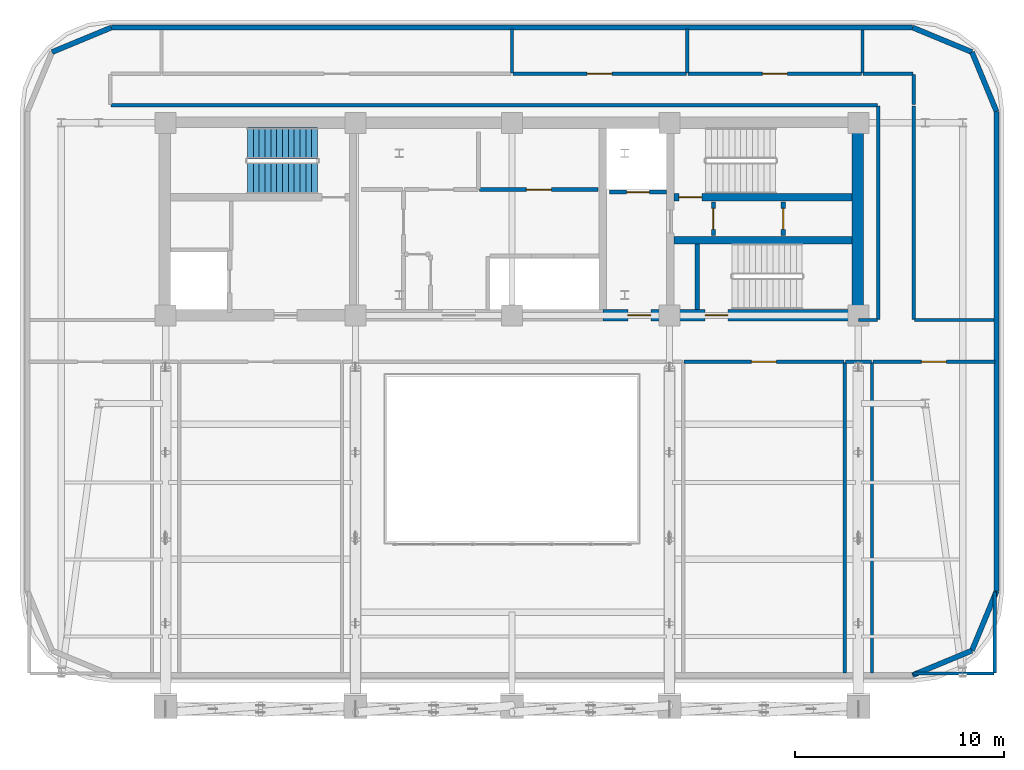
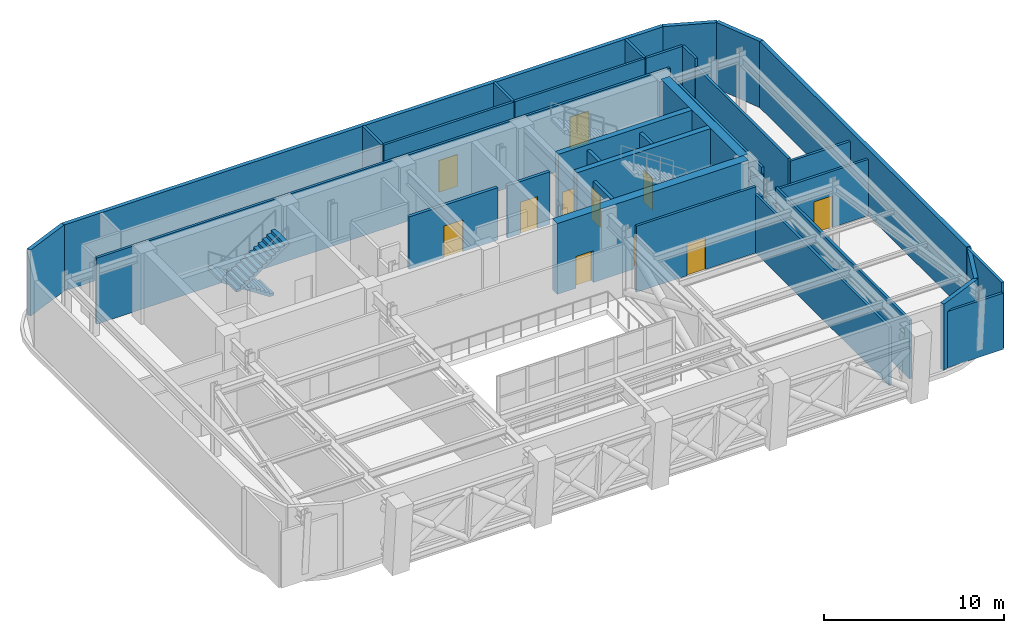
# One storey, part 8 of 12: 35 walls, 11 doors, 2 stair flights, 11 openings, 1 element without a shape of its own.
"""IFC4 building model written with IfcOpenShell, lengths in metres."""

from ifc_helpers import new_model, si_unit, direction, frame, frame_2d, origin, place, context, subcontext, project, spatial, polyline, rectangle, outline, extrude, material, layer, layer_set, type_object, element, fill, aggregate, save


model = new_model("IFC4")

# Units and contexts
model_context = context("Model", 3, precision=1e-05, world=origin(), true_north=direction((0.0, 1.0)))
body_context = subcontext(model_context, "Body", "Model", "MODEL_VIEW")
ifc_project = project(units=[si_unit("LENGTHUNIT", "METRE"), si_unit("AREAUNIT", "SQUARE_METRE"), si_unit("VOLUMEUNIT", "CUBIC_METRE"), si_unit("PLANEANGLEUNIT", "RADIAN"), si_unit("MASSUNIT", "GRAM", prefix="KILO")], contexts=[model_context])

# Site, building, storey
site_placement = place(None, origin())
site = spatial("IfcSite", under=ifc_project, at=site_placement, CompositionType="ELEMENT")
building_placement = place(site_placement, origin())
building = spatial("IfcBuilding", under=site, at=building_placement, Name="Zarnavel Station Tower", CompositionType="ELEMENT")
storey_placement = place(building_placement, frame((0.0, 0.0, 188.39990234375)))
storey = spatial("IfcBuildingStorey", under=building, at=storey_placement, Name="L51", CompositionType="ELEMENT", Elevation=188.39990234375)

# Wall, opening, door
ifc_material_1 = material(Name="Concrete C50/60", Category="concrete")
ifc_layer_1 = layer(ifc_material_1, 0.35009765625)
ifc_layer_set_1 = layer_set([ifc_layer_1], Name="CW_350")
wall_type_1 = type_object("IfcWallType", Name="CW_350", PredefinedType="SHEAR", material=ifc_layer_set_1)
wall_1_placement = place(storey_placement, frame((45.10498046875, 33.47998046875, 0.0), z_axis=(0.0, 0.0, 1.0), x_axis=(-1.0, 0.0, 0.0)))
wall_1 = element("IfcWall", 1, at=wall_1_placement, inside=storey, type_object=wall_type_1, Name="L51 Rear Core Shear Wall DIV-H2", PredefinedType="SHEAR", context=body_context, shape_type="SweptSolid", body=[
    extrude(rectangle(XDim=8.550048828125, YDim=0.35009765625, at=frame_2d((4.27490234375, 0.0))), origin(), (0.0, 0.0, 1.0), 4.800048828125),
])
opening_1_placement = place(wall_1_placement, frame((7.205078125, 0.0, 0.0)))
opening_1 = element("IfcOpeningElement", 2, at=opening_1_placement, cuts=wall_1, Name="Opening FD01", PredefinedType="OPENING", context=body_context, shape_type="SweptSolid", body=[
    extrude(rectangle(XDim=1.10009765625, YDim=2.14990234375, at=frame_2d((0.550048828125, 1.074951171875))), frame((0.0, 0.18505859375, 0.0), z_axis=(0.0, -1.0, 0.0), x_axis=(1.0, 0.0, 0.0)), (0.0, 0.0, 1.0), 0.3701171875),
])
ifc_material_2 = material(Name="Painted Galvanised Steel and Hardwood Leaf", Category="steel")
door_type_1 = type_object("IfcDoorType", Name="ID_STAIR_1100", OperationType="NOTDEFINED", PredefinedType="DOOR", material=ifc_material_2)
door_1_placement = place(opening_1_placement, origin())
door_1 = element("IfcDoor", 3, at=door_1_placement, inside=storey, type_object=door_type_1, Name="L51 Stair ST2 Lobby Fire Door", OperationType="SINGLE_SWING_RIGHT", OverallHeight=2.14990234375, OverallWidth=1.10009765625, PredefinedType="DOOR", context=body_context, shape_type="SweptSolid", body=[
    extrude(rectangle(XDim=1.10009765625, YDim=2.14990234375, at=frame_2d((0.550048828125, 1.074951171875))), frame((0.0, 0.02490234375, 0.0), z_axis=(0.0, -1.0, 0.0), x_axis=(1.0, 0.0, 0.0)), (0.0, 0.0, 1.0), 0.050048828125),
])
fill(opening_1, door_1)

# Wall
wall_2_placement = place(storey_placement, frame((36.554931640625, 31.419921875, 0.0), z_axis=(0.0, 0.0, 1.0), x_axis=(1.0, 0.0, 0.0)))
element("IfcWall", 4, at=wall_2_placement, inside=storey, type_object=wall_type_1, Name="L51 Rear Core Shear Wall DIV-H3", PredefinedType="SHEAR", context=body_context, shape_type="SweptSolid", body=[
    extrude(rectangle(XDim=8.550048828125, YDim=0.35009765625, at=frame_2d((4.27490234375, 0.0))), origin(), (0.0, 0.0, 1.0), 4.800048828125),
])

# Wall, openings, doors
ifc_material_3 = material(Name="Concrete C50/60", Category="concrete")
ifc_layer_2 = layer(ifc_material_3, 0.550048828125)
ifc_layer_set_2 = layer_set([ifc_layer_2], Name="CW_550")
wall_type_2 = type_object("IfcWallType", Name="CW_550", PredefinedType="SHEAR", material=ifc_layer_set_2)
wall_3_placement = place(storey_placement, frame((45.3798828125, 27.820068359375, 0.0), z_axis=(0.0, 0.0, 1.0), x_axis=(-1.0, 0.0, 0.0)))
wall_3 = element("IfcWall", 5, at=wall_3_placement, inside=storey, type_object=wall_type_2, Name="L51 Rear Core Shear Wall S-E", PredefinedType="SHEAR", context=body_context, shape_type="SweptSolid", body=[
    extrude(rectangle(XDim=12.22998046875, YDim=0.550048828125, at=frame_2d((6.114990234375, 0.0))), origin(), (0.0, 0.0, 1.0), 4.800048828125),
])
opening_2_placement = place(wall_3_placement, frame((9.929931640625, 0.0, 0.0)))
opening_2 = element("IfcOpeningElement", 6, at=opening_2_placement, cuts=wall_3, Name="Opening FD01", PredefinedType="OPENING", context=body_context, shape_type="SweptSolid", body=[
    extrude(rectangle(XDim=1.10009765625, YDim=2.14990234375, at=frame_2d((0.550048828125, 1.074951171875))), frame((0.0, 0.284912109375, 0.0), z_axis=(0.0, -1.0, 0.0), x_axis=(1.0, 0.0, 0.0)), (0.0, 0.0, 1.0), 0.570068359375),
])
opening_3_placement = place(wall_3_placement, frame((6.22998046875, 0.0, 0.0)))
opening_3 = element("IfcOpeningElement", 7, at=opening_3_placement, cuts=wall_3, Name="Opening FD01", PredefinedType="OPENING", context=body_context, shape_type="SweptSolid", body=[
    extrude(rectangle(XDim=1.10009765625, YDim=2.14990234375, at=frame_2d((0.550048828125, 1.074951171875))), frame((0.0, 0.284912109375, 0.0), z_axis=(0.0, -1.0, 0.0), x_axis=(1.0, 0.0, 0.0)), (0.0, 0.0, 1.0), 0.570068359375),
])
door_2_placement = place(opening_2_placement, origin())
door_2 = element("IfcDoor", 8, at=door_2_placement, inside=storey, type_object=door_type_1, Name="L51 East Firefighting Lobby Door", OperationType="SINGLE_SWING_LEFT", OverallHeight=2.14990234375, OverallWidth=1.10009765625, PredefinedType="DOOR", context=body_context, shape_type="SweptSolid", body=[
    extrude(rectangle(XDim=1.10009765625, YDim=2.14990234375, at=frame_2d((0.550048828125, 1.074951171875))), frame((0.0, 0.02490234375, 0.0), z_axis=(0.0, -1.0, 0.0), x_axis=(1.0, 0.0, 0.0)), (0.0, 0.0, 1.0), 0.050048828125),
])
fill(opening_2, door_2)
door_3_placement = place(opening_3_placement, origin())
door_3 = element("IfcDoor", 9, at=door_3_placement, inside=storey, type_object=door_type_1, Name="L51 Stair ST3 Corridor Fire Door", OperationType="SINGLE_SWING_RIGHT", OverallHeight=2.14990234375, OverallWidth=1.10009765625, PredefinedType="DOOR", context=body_context, shape_type="SweptSolid", body=[
    extrude(rectangle(XDim=1.10009765625, YDim=2.14990234375, at=frame_2d((0.550048828125, 1.074951171875))), frame((0.0, 0.02490234375, 0.0), z_axis=(0.0, -1.0, 0.0), x_axis=(1.0, 0.0, 0.0)), (0.0, 0.0, 1.0), 0.050048828125),
])
fill(opening_3, door_3)

# Walls
wall_4_placement = place(storey_placement, frame((45.3798828125, 28.094970703125, 0.0), z_axis=(0.0, 0.0, 1.0), x_axis=(0.0, 1.0, 0.0)))
element("IfcWall", 10, at=wall_4_placement, inside=storey, type_object=wall_type_2, Name="L51 Rear Core Shear Wall E", PredefinedType="SHEAR", context=body_context, shape_type="SweptSolid", body=[
    extrude(rectangle(XDim=8.679931640625, YDim=0.550048828125, at=frame_2d((4.33984375, 0.0))), origin(), (0.0, 0.0, 1.0), 4.800048828125),
])
ifc_material_4 = material(Name="Precast concrete C45/55 (Basalt Spandrel)", Category="masonry")
ifc_layer_3 = layer(ifc_material_4, 0.25)
ifc_layer_set_3 = layer_set([ifc_layer_3], Name="EW_SPANDREL_250")
wall_type_3 = type_object("IfcWallType", Name="EW_SPANDREL_250", PredefinedType="SOLIDWALL", material=ifc_layer_set_3)
wall_5_placement = place(storey_placement, frame((50.842529296875, 11.75732421875, 0.0), z_axis=(0.0, 0.0, 1.0), x_axis=(-0.92389884758, -0.382636798336, 0.0)))
element("IfcWall", 11, at=wall_5_placement, inside=storey, type_object=wall_type_3, Name="L51 Exterior Basalt Masonry Frame Wall 01", PredefinedType="SOLIDWALL", context=body_context, shape_type="SweptSolid", body=[
    extrude(rectangle(XDim=3.07666015625, YDim=0.25, at=frame_2d((1.538330078125, 0.0))), origin(), (0.0, 0.0, 1.0), 4.47998046875),
])
wall_6_placement = place(storey_placement, frame((52.02001953125, 14.60009765625, 0.0), z_axis=(0.0, 0.0, 1.0), x_axis=(-0.382676475685, -0.923882414032, 0.0)))
element("IfcWall", 12, at=wall_6_placement, inside=storey, type_object=wall_type_3, Name="L51 Exterior Basalt Masonry Frame Wall 02", PredefinedType="SOLIDWALL", context=body_context, shape_type="SweptSolid", body=[
    extrude(rectangle(XDim=3.076904296875, YDim=0.25, at=frame_2d((1.53857421875, 0.0))), origin(), (0.0, 0.0, 1.0), 4.47998046875),
])
wall_7_placement = place(storey_placement, frame((52.02001953125, 37.60009765625, 0.0), z_axis=(0.0, 0.0, 1.0), x_axis=(0.0, -1.0, 0.0)))
element("IfcWall", 13, at=wall_7_placement, inside=storey, type_object=wall_type_3, Name="L51 Exterior Basalt Masonry Frame Wall 03", PredefinedType="SOLIDWALL", context=body_context, shape_type="SweptSolid", body=[
    extrude(rectangle(XDim=23.0, YDim=0.25, at=frame_2d((11.5, 0.0))), origin(), (0.0, 0.0, 1.0), 4.47998046875),
])
for number, where, z_axis, x_axis, name in (
    (14, (50.842529296875, 40.442626953125, 0.0), (0.0, 0.0, 1.0), (0.382704529509, -0.923870793506, 0.0), "L51 Exterior Basalt Masonry Frame Wall 04"),
    (15, (48.0, 41.6201171875, 0.0), (0.0, 0.0, 1.0), (0.923870793506, -0.382704529509, 0.0), "L51 Exterior Basalt Masonry Frame Wall 05"),
):
    element("IfcWall", number, at=place(storey_placement, frame(where, z_axis=z_axis, x_axis=x_axis)), inside=storey, type_object=wall_type_3, Name=name, PredefinedType="SOLIDWALL", context=body_context, shape_type="SweptSolid", body=[
        extrude(rectangle(XDim=3.07666015625, YDim=0.25, at=frame_2d((1.538330078125, 0.0))), origin(), (0.0, 0.0, 1.0), 4.47998046875),
    ])
wall_8_placement = place(storey_placement, frame((9.60009765625, 41.6201171875, 0.0), z_axis=(0.0, 0.0, 1.0), x_axis=(1.0, 0.0, 0.0)))
element("IfcWall", 16, at=wall_8_placement, inside=storey, type_object=wall_type_3, Name="L51 Exterior Basalt Masonry Frame Wall 06", PredefinedType="SOLIDWALL", context=body_context, shape_type="SweptSolid", body=[
    extrude(rectangle(XDim=38.39990234375, YDim=0.25, at=frame_2d((19.199951171875, 0.0))), origin(), (0.0, 0.0, 1.0), 4.47998046875),
])
wall_9_placement = place(storey_placement, frame((6.75732421875, 40.442626953125, 0.0), z_axis=(0.0, 0.0, 1.0), x_axis=(0.923882414032, 0.382676475685, 0.0)))
element("IfcWall", 17, at=wall_9_placement, inside=storey, type_object=wall_type_3, Name="L51 Exterior Basalt Masonry Frame Wall 07", PredefinedType="SOLIDWALL", context=body_context, shape_type="SweptSolid", body=[
    extrude(rectangle(XDim=3.076904296875, YDim=0.25, at=frame_2d((1.53857421875, 0.0))), origin(), (0.0, 0.0, 1.0), 4.47998046875),
])

# Wall, opening, door
ifc_material_5 = material(Name="Gypsum Twin-Stud Acoustic Fire Partition", Category="concrete")
ifc_layer_4 = layer(ifc_material_5, 0.159912109375)
ifc_layer_set_4 = layer_set([ifc_layer_4], Name="PT_DEMISE_160")
wall_type_4 = type_object("IfcWallType", Name="PT_DEMISE_160", PredefinedType="PARTITIONING", material=ifc_layer_set_4)
wall_10_placement = place(storey_placement, frame((37.0400390625, 25.60009765625, 0.0), z_axis=(0.0, 0.0, 1.0), x_axis=(1.0, 0.0, 0.0)))
wall_10 = element("IfcWall", 18, at=wall_10_placement, inside=storey, type_object=wall_type_4, Name="L51 Partition PCOR-AHU2", PredefinedType="PARTITIONING", context=body_context, shape_type="SweptSolid", body=[
    extrude(rectangle(XDim=7.669921875, YDim=0.159912109375, at=frame_2d((3.8349609375, 0.0))), origin(), (0.0, 0.0, 1.0), 4.47998046875),
])
opening_4_placement = place(wall_10_placement, frame((3.235107421875, 0.0, 0.0)))
opening_4 = element("IfcOpeningElement", 19, at=opening_4_placement, cuts=wall_10, Name="Opening FD03", PredefinedType="OPENING", context=body_context, shape_type="SweptSolid", body=[
    extrude(rectangle(XDim=1.199951171875, YDim=2.14990234375, at=frame_2d((0.60009765625, 1.074951171875))), frame((0.0, 0.08984375, 0.0), z_axis=(0.0, -1.0, 0.0), x_axis=(1.0, 0.0, 0.0)), (0.0, 0.0, 1.0), 0.179931640625),
])
ifc_material_6 = material(Name="Painted Galvanised Steel and Hardwood Leaf", Category="steel")
door_type_2 = type_object("IfcDoorType", Name="ID_PLANT_1200", OperationType="NOTDEFINED", PredefinedType="DOOR", material=ifc_material_6)
door_4_placement = place(opening_4_placement, origin())
door_4 = element("IfcDoor", 20, at=door_4_placement, inside=storey, type_object=door_type_2, Name="L51 Door PCOR-AHU2", OperationType="SINGLE_SWING_LEFT", OverallHeight=2.14990234375, OverallWidth=1.199951171875, PredefinedType="DOOR", context=body_context, shape_type="SweptSolid", body=[
    extrude(rectangle(XDim=1.199951171875, YDim=2.14990234375, at=frame_2d((0.60009765625, 1.074951171875))), frame((0.0, 0.02490234375, 0.0), z_axis=(0.0, -1.0, 0.0), x_axis=(1.0, 0.0, 0.0)), (0.0, 0.0, 1.0), 0.050048828125),
])
fill(opening_4, door_4)

wall_11_placement = place(storey_placement, frame((46.090087890625, 25.60009765625, 0.0), z_axis=(0.0, 0.0, 1.0), x_axis=(1.0, 0.0, 0.0)))
wall_11 = element("IfcWall", 21, at=wall_11_placement, inside=storey, type_object=wall_type_4, Name="L51 Partition PCOR-PMP", PredefinedType="PARTITIONING", context=body_context, shape_type="SweptSolid", body=[
    extrude(rectangle(XDim=5.849853515625, YDim=0.159912109375, at=frame_2d((2.9248046875, 0.0))), origin(), (0.0, 0.0, 1.0), 3.81005859375),
])
opening_5_placement = place(wall_11_placement, frame((2.324951171875, 0.0, 0.0)))
opening_5 = element("IfcOpeningElement", 22, at=opening_5_placement, cuts=wall_11, Name="Opening FD03", PredefinedType="OPENING", context=body_context, shape_type="SweptSolid", body=[
    extrude(rectangle(XDim=1.199951171875, YDim=2.14990234375, at=frame_2d((0.60009765625, 1.074951171875))), frame((0.0, 0.08984375, 0.0), z_axis=(0.0, -1.0, 0.0), x_axis=(1.0, 0.0, 0.0)), (0.0, 0.0, 1.0), 0.179931640625),
])
door_5_placement = place(opening_5_placement, origin())
door_5 = element("IfcDoor", 23, at=door_5_placement, inside=storey, type_object=door_type_2, Name="L51 Door PCOR-PMP", OperationType="SINGLE_SWING_RIGHT", OverallHeight=2.14990234375, OverallWidth=1.199951171875, PredefinedType="DOOR", context=body_context, shape_type="SweptSolid", body=[
    extrude(rectangle(XDim=1.199951171875, YDim=2.14990234375, at=frame_2d((0.60009765625, 1.074951171875))), frame((0.0, 0.02490234375, 0.0), z_axis=(0.0, -1.0, 0.0), x_axis=(1.0, 0.0, 0.0)), (0.0, 0.0, 1.0), 0.050048828125),
])
fill(opening_5, door_5)

wall_12_placement = place(storey_placement, frame((28.840087890625, 39.39990234375, 0.0), z_axis=(0.0, 0.0, 1.0), x_axis=(1.0, 0.0, 0.0)))
wall_12 = element("IfcWall", 24, at=wall_12_placement, inside=storey, type_object=wall_type_4, Name="L51 Partition PCOR-N-SUB1", PredefinedType="PARTITIONING", context=body_context, shape_type="SweptSolid", body=[
    extrude(rectangle(XDim=8.31982421875, YDim=0.159912109375, at=frame_2d((4.159912109375, 0.0))), origin(), (0.0, 0.0, 1.0), 4.47998046875),
])
opening_6_placement = place(wall_12_placement, frame((3.56005859375, 0.0, 0.0)))
opening_6 = element("IfcOpeningElement", 25, at=opening_6_placement, cuts=wall_12, Name="Opening FD03", PredefinedType="OPENING", context=body_context, shape_type="SweptSolid", body=[
    extrude(rectangle(XDim=1.199951171875, YDim=2.14990234375, at=frame_2d((0.60009765625, 1.074951171875))), frame((0.0, 0.08984375, 0.0), z_axis=(0.0, -1.0, 0.0), x_axis=(1.0, 0.0, 0.0)), (0.0, 0.0, 1.0), 0.179931640625),
])
door_6_placement = place(opening_6_placement, origin())
door_6 = element("IfcDoor", 26, at=door_6_placement, inside=storey, type_object=door_type_2, Name="L51 Door PCOR-N-SUB1", OperationType="SINGLE_SWING_RIGHT", OverallHeight=2.14990234375, OverallWidth=1.199951171875, PredefinedType="DOOR", context=body_context, shape_type="SweptSolid", body=[
    extrude(rectangle(XDim=1.199951171875, YDim=2.14990234375, at=frame_2d((0.60009765625, 1.074951171875))), frame((0.0, 0.02490234375, 0.0), z_axis=(0.0, -1.0, 0.0), x_axis=(1.0, 0.0, 0.0)), (0.0, 0.0, 1.0), 0.050048828125),
])
fill(opening_6, door_6)

wall_13_placement = place(storey_placement, frame((37.239990234375, 39.39990234375, 0.0), z_axis=(0.0, 0.0, 1.0), x_axis=(1.0, 0.0, 0.0)))
wall_13 = element("IfcWall", 27, at=wall_13_placement, inside=storey, type_object=wall_type_4, Name="L51 Partition PCOR-N-SUB2", PredefinedType="PARTITIONING", context=body_context, shape_type="SweptSolid", body=[
    extrude(rectangle(XDim=8.320068359375, YDim=0.159912109375, at=frame_2d((4.16015625, 0.0))), origin(), (0.0, 0.0, 1.0), 4.47998046875),
])
opening_7_placement = place(wall_13_placement, frame((3.56005859375, 0.0, 0.0)))
opening_7 = element("IfcOpeningElement", 28, at=opening_7_placement, cuts=wall_13, Name="Opening FD03", PredefinedType="OPENING", context=body_context, shape_type="SweptSolid", body=[
    extrude(rectangle(XDim=1.199951171875, YDim=2.14990234375, at=frame_2d((0.60009765625, 1.074951171875))), frame((0.0, 0.08984375, 0.0), z_axis=(0.0, -1.0, 0.0), x_axis=(1.0, 0.0, 0.0)), (0.0, 0.0, 1.0), 0.179931640625),
])
door_7_placement = place(opening_7_placement, origin())
door_7 = element("IfcDoor", 29, at=door_7_placement, inside=storey, type_object=door_type_2, Name="L51 Door PCOR-N-SUB2", OperationType="SINGLE_SWING_LEFT", OverallHeight=2.14990234375, OverallWidth=1.199951171875, PredefinedType="DOOR", context=body_context, shape_type="SweptSolid", body=[
    extrude(rectangle(XDim=1.199951171875, YDim=2.14990234375, at=frame_2d((0.60009765625, 1.074951171875))), frame((0.0, 0.02490234375, 0.0), z_axis=(0.0, -1.0, 0.0), x_axis=(1.0, 0.0, 0.0)), (0.0, 0.0, 1.0), 0.050048828125),
])
fill(opening_7, door_7)

# Walls
for number, where, z_axis, x_axis, name in (
    (30, (28.800048828125, 39.43994140625, 0.0), (0.0, 0.0, 1.0), (0.0, 1.0, 0.0), "L51 Partition REFG2-SUB1"),
    (31, (37.199951171875, 39.43994140625, 0.0), (0.0, 0.0, 1.0), (0.0, 1.0, 0.0), "L51 Partition SUB1-SUB2"),
):
    element("IfcWall", number, at=place(storey_placement, frame(where, z_axis=z_axis, x_axis=x_axis)), inside=storey, type_object=wall_type_4, Name=name, PredefinedType="PARTITIONING", context=body_context, shape_type="SweptSolid", body=[
        extrude(rectangle(XDim=2.10009765625, YDim=0.159912109375, at=frame_2d((1.050048828125, 0.0))), origin(), (0.0, 0.0, 1.0), 4.47998046875),
    ])
wall_14_placement = place(storey_placement, frame((44.780029296875, 25.60009765625, 0.0), z_axis=(0.0, 0.0, 1.0), x_axis=(1.0, 0.0, 0.0)))
element("IfcWall", 32, at=wall_14_placement, inside=storey, type_object=wall_type_4, Name="L51 Enclosure Wall PCOR", PredefinedType="PARTITIONING", context=body_context, shape_type="SweptSolid", body=[
    extrude(rectangle(XDim=1.239990234375, YDim=0.159912109375, at=frame_2d((0.6201171875, 0.0))), origin(), (0.0, 0.0, 1.0), 3.56005859375),
])
wall_15_placement = place(storey_placement, frame((45.409912109375, 27.60009765625, 0.0), z_axis=(0.0, 0.0, 1.0), x_axis=(1.0, 0.0, 0.0)))
element("IfcWall", 33, at=wall_15_placement, inside=storey, type_object=wall_type_4, Name="L51 Enclosure Wall PCOR", PredefinedType="PARTITIONING", context=body_context, shape_type="SweptSolid", body=[
    extrude(rectangle(XDim=0.91015625, YDim=0.159912109375, at=frame_2d((0.455078125, 0.0))), origin(), (0.0, 0.0, 1.0), 3.550048828125),
])
wall_16_placement = place(storey_placement, frame((48.080078125, 27.60009765625, 0.0), z_axis=(0.0, 0.0, 1.0), x_axis=(1.0, 0.0, 0.0)))
element("IfcWall", 34, at=wall_16_placement, inside=storey, type_object=wall_type_4, Name="L51 Enclosure Wall PCOR", PredefinedType="PARTITIONING", context=body_context, shape_type="SweptSolid", body=[
    extrude(rectangle(XDim=3.829833984375, YDim=0.159912109375, at=frame_2d((1.9150390625, 0.0))), origin(), (0.0, 0.0, 1.0), 3.81005859375),
])
for number, where, z_axis, x_axis, name in (
    (35, (46.35009765625, 27.6298828125, 0.0), (0.0, 0.0, 1.0), (0.0, 1.0, 0.0), "L51 Enclosure Wall PCOR-E"),
    (36, (48.050048828125, 27.6298828125, 0.0), (0.0, 0.0, 1.0), (0.0, 1.0, 0.0), "L51 Enclosure Wall PCOR-E"),
):
    element("IfcWall", number, at=place(storey_placement, frame(where, z_axis=z_axis, x_axis=x_axis)), inside=storey, type_object=wall_type_4, Name=name, PredefinedType="PARTITIONING", context=body_context, shape_type="SweptSolid", body=[
        extrude(rectangle(XDim=10.240234375, YDim=0.159912109375, at=frame_2d((5.1201171875, 0.0))), origin(), (0.0, 0.0, 1.0), 3.960205078125),
    ])
wall_17_placement = place(storey_placement, frame((9.580078125, 37.89990234375, 0.0), z_axis=(0.0, 0.0, 1.0), x_axis=(1.0, 0.0, 0.0)))
element("IfcWall", 37, at=wall_17_placement, inside=storey, type_object=wall_type_4, Name="L51 Enclosure Wall PCOR-N", PredefinedType="PARTITIONING", context=body_context, shape_type="SweptSolid", body=[
    extrude(rectangle(XDim=36.739990234375, YDim=0.159912109375, at=frame_2d((18.3701171875, 0.0))), origin(), (0.0, 0.0, 1.0), 4.47998046875),
])
wall_18_placement = place(storey_placement, frame((45.6298828125, 39.39990234375, 0.0), z_axis=(0.0, 0.0, 1.0), x_axis=(1.0, 0.0, 0.0)))
element("IfcWall", 38, at=wall_18_placement, inside=storey, type_object=wall_type_4, Name="L51 Enclosure Wall PCOR-N", PredefinedType="PARTITIONING", context=body_context, shape_type="SweptSolid", body=[
    extrude(rectangle(XDim=2.39013671875, YDim=0.159912109375, at=frame_2d((1.195068359375, 0.0))), origin(), (0.0, 0.0, 1.0), 4.47998046875),
])
wall_19_placement = place(storey_placement, frame((48.050048828125, 37.929931640625, 0.0), z_axis=(0.0, 0.0, 1.0), x_axis=(0.0, 1.0, 0.0)))
element("IfcWall", 39, at=wall_19_placement, inside=storey, type_object=wall_type_4, Name="L51 Enclosure Wall PCOR-N", PredefinedType="PARTITIONING", context=body_context, shape_type="SweptSolid", body=[
    extrude(rectangle(XDim=1.440185546875, YDim=0.159912109375, at=frame_2d((0.72021484375, 0.0))), origin(), (0.0, 0.0, 1.0), 4.47998046875),
])
wall_20_placement = place(storey_placement, frame((44.75, 10.68994140625, 0.0), z_axis=(0.0, 0.0, 1.0), x_axis=(0.0, 1.0, 0.0)))
element("IfcWall", 40, at=wall_20_placement, inside=storey, type_object=wall_type_4, Name="L51 Enclosure Wall AHU2", PredefinedType="PARTITIONING", context=body_context, shape_type="SweptSolid", body=[
    extrude(rectangle(XDim=14.880126953125, YDim=0.159912109375, at=frame_2d((7.43994140625, 0.0))), origin(), (0.0, 0.0, 1.0), 3.960205078125),
])
wall_21_placement = place(storey_placement, frame((48.030029296875, 10.659912109375, 0.0), z_axis=(0.0, 0.0, 1.0), x_axis=(1.0, 0.0, 0.0)))
element("IfcWall", 41, at=wall_21_placement, inside=storey, type_object=wall_type_4, Name="L51 Enclosure Wall PMP", PredefinedType="PARTITIONING", context=body_context, shape_type="SweptSolid", body=[
    extrude(rectangle(XDim=3.8798828125, YDim=0.159912109375, at=frame_2d((1.93994140625, 0.0))), origin(), (0.0, 0.0, 1.0), 3.81005859375),
])
wall_22_placement = place(storey_placement, frame((46.050048828125, 10.68994140625, 0.0), z_axis=(0.0, 0.0, 1.0), x_axis=(0.0, 1.0, 0.0)))
element("IfcWall", 42, at=wall_22_placement, inside=storey, type_object=wall_type_4, Name="L51 Enclosure Wall PMP", PredefinedType="PARTITIONING", context=body_context, shape_type="SweptSolid", body=[
    extrude(rectangle(XDim=14.880126953125, YDim=0.159912109375, at=frame_2d((7.43994140625, 0.0))), origin(), (0.0, 0.0, 1.0), 3.960205078125),
])
wall_23_placement = place(storey_placement, frame((51.93994140625, 10.68994140625, 0.0), z_axis=(0.0, 0.0, 1.0), x_axis=(0.0, 1.0, 0.0)))
element("IfcWall", 43, at=wall_23_placement, inside=storey, type_object=wall_type_4, Name="L51 Enclosure Wall PMP", PredefinedType="PARTITIONING", context=body_context, shape_type="SweptSolid", body=[
    extrude(rectangle(XDim=3.880126953125, YDim=0.159912109375, at=frame_2d((1.93994140625, 0.0))), origin(), (0.0, 0.0, 1.0), 4.47998046875),
])
wall_24_placement = place(storey_placement, frame((45.60009765625, 39.429931640625, 0.0), z_axis=(0.0, 0.0, 1.0), x_axis=(0.0, 1.0, 0.0)))
element("IfcWall", 44, at=wall_24_placement, inside=storey, type_object=wall_type_4, Name="L51 Enclosure Wall SUB2", PredefinedType="PARTITIONING", context=body_context, shape_type="SweptSolid", body=[
    extrude(rectangle(XDim=2.080078125, YDim=0.159912109375, at=frame_2d((1.0400390625, 0.0))), origin(), (0.0, 0.0, 1.0), 4.47998046875),
])

# Wall, opening, door
ifc_material_7 = material(Name="Precast concrete C45/55 (Fire Shaft Blockwork)", Category="masonry")
ifc_layer_5 = layer(ifc_material_7, 0.199951171875)
ifc_layer_set_5 = layer_set([ifc_layer_5], Name="PT_SHAFT_200")
wall_type_5 = type_object("IfcWallType", Name="PT_SHAFT_200", PredefinedType="PARTITIONING", material=ifc_layer_set_5)
wall_25_placement = place(storey_placement, frame((33.47509765625, 33.72998046875, 0.0), z_axis=(0.0, 0.0, 1.0), x_axis=(1.0, 0.0, 0.0)))
wall_25 = element("IfcWall", 45, at=wall_25_placement, inside=storey, type_object=wall_type_5, Name="L51 Lift FFL-02 Shaft Front Wall", PredefinedType="PARTITIONING", context=body_context, shape_type="SweptSolid", body=[
    extrude(rectangle(XDim=2.724853515625, YDim=0.199951171875, at=frame_2d((1.3623046875, 0.0))), origin(), (0.0, 0.0, 1.0), 3.550048828125),
])
opening_8_placement = place(wall_25_placement, frame((0.8125, 0.0, 0.0)))
opening_8 = element("IfcOpeningElement", 46, at=opening_8_placement, cuts=wall_25, Name="Opening LD01", PredefinedType="OPENING", context=body_context, shape_type="SweptSolid", body=[
    extrude(rectangle(XDim=1.10009765625, YDim=2.14990234375, at=frame_2d((0.550048828125, 1.074951171875))), frame((0.0, 0.10986328125, 0.0), z_axis=(0.0, -1.0, 0.0), x_axis=(1.0, 0.0, 0.0)), (0.0, 0.0, 1.0), 0.219970703125),
])
ifc_material_8 = material(Name="Painted Galvanised Steel and Hardwood Leaf", Category="steel")
door_type_3 = type_object("IfcDoorType", Name="LD_FF_1100", OperationType="DOUBLE_DOOR_SLIDING", PredefinedType="DOOR", material=ifc_material_8)
door_8_placement = place(opening_8_placement, origin())
door_8 = element("IfcDoor", 47, at=door_8_placement, inside=storey, type_object=door_type_3, Name="L51 Lift FFL-02 Sliding Landing Door", OperationType="DOUBLE_DOOR_SLIDING", OverallHeight=2.14990234375, OverallWidth=1.10009765625, PredefinedType="DOOR", context=body_context, shape_type="SweptSolid", body=[
    extrude(rectangle(XDim=1.10009765625, YDim=2.14990234375, at=frame_2d((0.550048828125, 1.074951171875))), frame((0.0, 0.02490234375, 0.0), z_axis=(0.0, -1.0, 0.0), x_axis=(1.0, 0.0, 0.0)), (0.0, 0.0, 1.0), 0.050048828125),
])
fill(opening_8, door_8)

# Wall
wall_26_placement = place(storey_placement, frame((37.679931640625, 28.094970703125, 0.0), z_axis=(0.0, 0.0, 1.0), x_axis=(0.0, 1.0, 0.0)))
element("IfcWall", 48, at=wall_26_placement, inside=storey, type_object=wall_type_5, Name="L51 Stair ST3 West Shaft Wall", PredefinedType="PARTITIONING", context=body_context, shape_type="SweptSolid", body=[
    extrude(rectangle(XDim=3.155029296875, YDim=0.199951171875, at=frame_2d((1.57763671875, 0.0))), origin(), (0.0, 0.0, 1.0), 3.860107421875),
])

# Wall, opening, door
wall_27_placement = place(storey_placement, frame((38.449951171875, 31.639892578125, 0.0), z_axis=(0.0, 0.0, 1.0), x_axis=(0.0, 1.0, 0.0)))
wall_27 = element("IfcWall", 49, at=wall_27_placement, inside=storey, type_object=wall_type_5, Name="L51 Partition ESTV-CEA", PredefinedType="PARTITIONING", context=body_context, shape_type="SweptSolid", body=[
    extrude(rectangle(XDim=1.6201171875, YDim=0.199951171875, at=frame_2d((0.81005859375, 0.0))), origin(), (0.0, 0.0, 1.0), 4.47998046875),
])
opening_9_placement = place(wall_27_placement, frame((0.31005859375, 0.0, 0.0)))
opening_9 = element("IfcOpeningElement", 50, at=opening_9_placement, cuts=wall_27, Name="Opening FD02", PredefinedType="OPENING", context=body_context, shape_type="SweptSolid", body=[
    extrude(rectangle(XDim=1.0, YDim=2.14990234375, at=frame_2d((0.5, 1.074951171875))), frame((0.0, 0.10986328125, 0.0), z_axis=(0.0, -1.0, 0.0), x_axis=(1.0, 0.0, 0.0)), (0.0, 0.0, 1.0), 0.219970703125),
])
ifc_material_9 = material(Name="Painted Galvanised Steel and Hardwood Leaf", Category="steel")
door_type_4 = type_object("IfcDoorType", Name="ID_ENTRY_1000", OperationType="NOTDEFINED", PredefinedType="DOOR", material=ifc_material_9)
door_9_placement = place(opening_9_placement, origin())
door_9 = element("IfcDoor", 51, at=door_9_placement, inside=storey, type_object=door_type_4, Name="L51 Door ESTV-CEA", OperationType="SINGLE_SWING_RIGHT", OverallHeight=2.14990234375, OverallWidth=1.0, PredefinedType="DOOR", context=body_context, shape_type="SweptSolid", body=[
    extrude(rectangle(XDim=1.0, YDim=2.14990234375, at=frame_2d((0.5, 1.074951171875))), frame((0.0, 0.02490234375, 0.0), z_axis=(0.0, -1.0, 0.0), x_axis=(1.0, 0.0, 0.0)), (0.0, 0.0, 1.0), 0.050048828125),
])
fill(opening_9, door_9)

wall_28_placement = place(storey_placement, frame((41.800048828125, 31.639892578125, 0.0), z_axis=(0.0, 0.0, 1.0), x_axis=(0.0, 1.0, 0.0)))
wall_28 = element("IfcWall", 52, at=wall_28_placement, inside=storey, type_object=wall_type_5, Name="L51 Partition CEA-CEB", PredefinedType="PARTITIONING", context=body_context, shape_type="SweptSolid", body=[
    extrude(rectangle(XDim=1.6201171875, YDim=0.199951171875, at=frame_2d((0.81005859375, 0.0))), origin(), (0.0, 0.0, 1.0), 4.47998046875),
])
opening_10_placement = place(wall_28_placement, frame((0.31005859375, 0.0, 0.0)))
opening_10 = element("IfcOpeningElement", 53, at=opening_10_placement, cuts=wall_28, Name="Opening FD02", PredefinedType="OPENING", context=body_context, shape_type="SweptSolid", body=[
    extrude(rectangle(XDim=1.0, YDim=2.14990234375, at=frame_2d((0.5, 1.074951171875))), frame((0.0, 0.10986328125, 0.0), z_axis=(0.0, -1.0, 0.0), x_axis=(1.0, 0.0, 0.0)), (0.0, 0.0, 1.0), 0.219970703125),
])
door_10_placement = place(opening_10_placement, origin())
door_10 = element("IfcDoor", 54, at=door_10_placement, inside=storey, type_object=door_type_4, Name="L51 Door CEA-CEB", OperationType="SINGLE_SWING_LEFT", OverallHeight=2.14990234375, OverallWidth=1.0, PredefinedType="DOOR", context=body_context, shape_type="SweptSolid", body=[
    extrude(rectangle(XDim=1.0, YDim=2.14990234375, at=frame_2d((0.5, 1.074951171875))), frame((0.0, 0.02490234375, 0.0), z_axis=(0.0, -1.0, 0.0), x_axis=(1.0, 0.0, 0.0)), (0.0, 0.0, 1.0), 0.050048828125),
])
fill(opening_10, door_10)

wall_29_placement = place(storey_placement, frame((27.239990234375, 33.85009765625, 0.0), z_axis=(0.0, 0.0, 1.0), x_axis=(1.0, 0.0, 0.0)))
wall_29 = element("IfcWall", 55, at=wall_29_placement, inside=storey, type_object=wall_type_5, Name="L51 Partition LLOB-FB2B", PredefinedType="PARTITIONING", context=body_context, shape_type="SweptSolid", body=[
    extrude(rectangle(XDim=5.68994140625, YDim=0.199951171875, at=frame_2d((2.844970703125, 0.0))), origin(), (0.0, 0.0, 1.0), 3.550048828125),
])
opening_11_placement = place(wall_29_placement, frame((2.2451171875, 0.0, 0.0)))
opening_11 = element("IfcOpeningElement", 56, at=opening_11_placement, cuts=wall_29, Name="Opening FD03", PredefinedType="OPENING", context=body_context, shape_type="SweptSolid", body=[
    extrude(rectangle(XDim=1.199951171875, YDim=2.14990234375, at=frame_2d((0.60009765625, 1.074951171875))), frame((0.0, 0.10986328125, 0.0), z_axis=(0.0, -1.0, 0.0), x_axis=(1.0, 0.0, 0.0)), (0.0, 0.0, 1.0), 0.219970703125),
])
door_11_placement = place(opening_11_placement, origin())
door_11 = element("IfcDoor", 57, at=door_11_placement, inside=storey, type_object=door_type_2, Name="L51 Door LLOB-FB2B", OperationType="SINGLE_SWING_LEFT", OverallHeight=2.14990234375, OverallWidth=1.199951171875, PredefinedType="DOOR", context=body_context, shape_type="SweptSolid", body=[
    extrude(rectangle(XDim=1.199951171875, YDim=2.14990234375, at=frame_2d((0.60009765625, 1.074951171875))), frame((0.0, 0.02490234375, 0.0), z_axis=(0.0, -1.0, 0.0), x_axis=(1.0, 0.0, 0.0)), (0.0, 0.0, 1.0), 0.050048828125),
])
fill(opening_11, door_11)

# Stair, stair flights
ifc_material_10 = material(Name="Concrete C45/55", Category="concrete")
stair_type = type_object("IfcStairType", Name="ST_CORE_150", PredefinedType="HALF_TURN_STAIR", material=ifc_material_10)
stair_placement = place(storey_placement, origin())
stair = element("IfcStair", 58, at=stair_placement, inside=storey, type_object=stair_type, Name="L51 Core Exit Stair ST1", PredefinedType="HALF_TURN_STAIR")
ifc_material_11 = material(Name="Concrete C45/55", Category="concrete")
ifc_layer_6 = layer(ifc_material_11, 0.179931640625)
ifc_layer_set_6 = layer_set([ifc_layer_6], Name="ST_CORE_150_FLT")
stair_flight_type = type_object("IfcStairFlightType", Name="ST_CORE_150_FLT", PredefinedType="STRAIGHT", material=ifc_layer_set_6)
stair_flight_1_placement = place(storey_placement, frame((19.47998046875, 36.070068359375, 0.0), z_axis=(0.0, 0.0, 1.0), x_axis=(-1.0, 0.0, 0.0)))
stair_flight_1 = element("IfcStairFlight", 59, at=stair_flight_1_placement, type_object=stair_flight_type, Name="ST1 flight 1", NumberOfRisers=13, NumberOfTreads=12, PredefinedType="STRAIGHT", RiserHeight=0.184615385, TreadLength=0.28, context=body_context, shape_type="SweptSolid", body=[
    extrude(outline(polyline([(0.0, 0.0), (0.0, 0.1845703125), (0.280029296875, 0.1845703125), (0.280029296875, 0.369140625), (0.56005859375, 0.369140625), (0.56005859375, 0.553955078125), (0.840087890625, 0.553955078125), (0.840087890625, 0.738525390625), (1.1201171875, 0.738525390625), (1.1201171875, 0.923095703125), (1.39990234375, 0.923095703125), (1.39990234375, 1.107666015625), (1.679931640625, 1.107666015625), (1.679931640625, 1.292236328125), (1.9599609375, 1.292236328125), (1.9599609375, 1.476806640625), (2.239990234375, 1.476806640625), (2.239990234375, 1.66162109375), (2.52001953125, 1.66162109375), (2.52001953125, 1.84619140625), (2.800048828125, 1.84619140625), (2.800048828125, 2.03076171875), (3.080078125, 2.03076171875), (3.080078125, 2.21533203125), (3.360107421875, 2.21533203125), (3.360107421875, 2.39990234375), (3.360107421875, 2.035888671875), (0.272216796875, 0.0), (0.0, 0.0)])), frame((0.0, 0.75, 0.0), z_axis=(0.0, -1.0, 0.0), x_axis=(1.0, 0.0, 0.0)), (0.0, 0.0, 1.0), 1.5),
])
stair_flight_2_placement = place(storey_placement, frame((16.1201171875, 34.409912109375, 2.400146484375), z_axis=(0.0, 0.0, 1.0), x_axis=(1.0, 0.0, 0.0)))
stair_flight_2 = element("IfcStairFlight", 60, at=stair_flight_2_placement, type_object=stair_flight_type, Name="ST1 flight 2", NumberOfRisers=13, NumberOfTreads=12, PredefinedType="STRAIGHT", RiserHeight=0.184615385, TreadLength=0.28, context=body_context, shape_type="SweptSolid", body=[
    extrude(outline(polyline([(0.0, 0.0), (0.0, 0.1845703125), (0.280029296875, 0.1845703125), (0.280029296875, 0.369140625), (0.56005859375, 0.369140625), (0.56005859375, 0.553955078125), (0.840087890625, 0.553955078125), (0.840087890625, 0.738525390625), (1.1201171875, 0.738525390625), (1.1201171875, 0.923095703125), (1.39990234375, 0.923095703125), (1.39990234375, 1.107666015625), (1.679931640625, 1.107666015625), (1.679931640625, 1.292236328125), (1.9599609375, 1.292236328125), (1.9599609375, 1.476806640625), (2.239990234375, 1.476806640625), (2.239990234375, 1.66162109375), (2.52001953125, 1.66162109375), (2.52001953125, 1.84619140625), (2.800048828125, 1.84619140625), (2.800048828125, 2.03076171875), (3.080078125, 2.03076171875), (3.080078125, 2.21533203125), (3.360107421875, 2.21533203125), (3.360107421875, 2.39990234375), (3.360107421875, 2.035888671875), (0.272216796875, 0.0), (0.0, 0.0)])), frame((0.0, 0.75, 0.0), z_axis=(0.0, -1.0, 0.0), x_axis=(1.0, 0.0, 0.0)), (0.0, 0.0, 1.0), 1.5),
])
aggregate(stair, [stair_flight_1, stair_flight_2])

save(model, "model.ifc")
